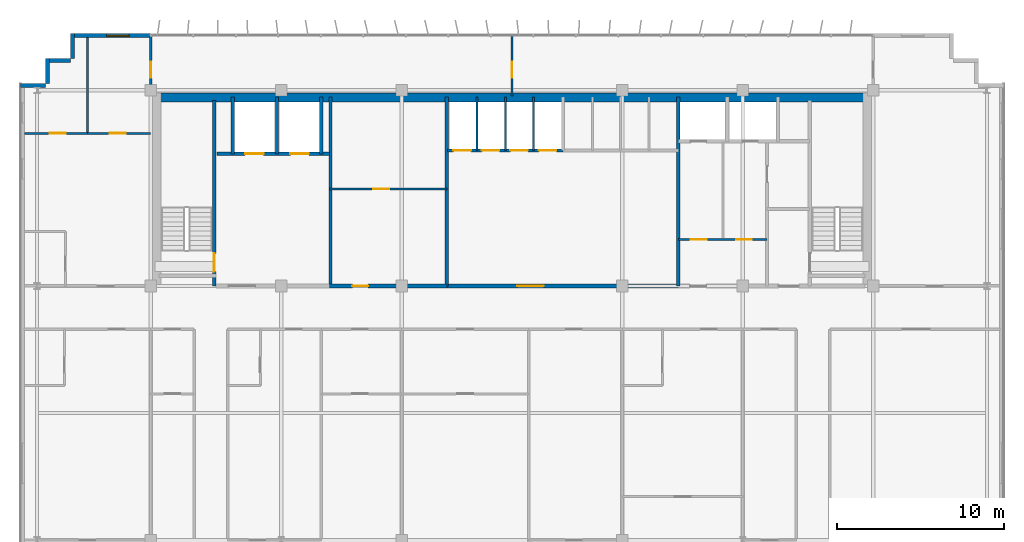
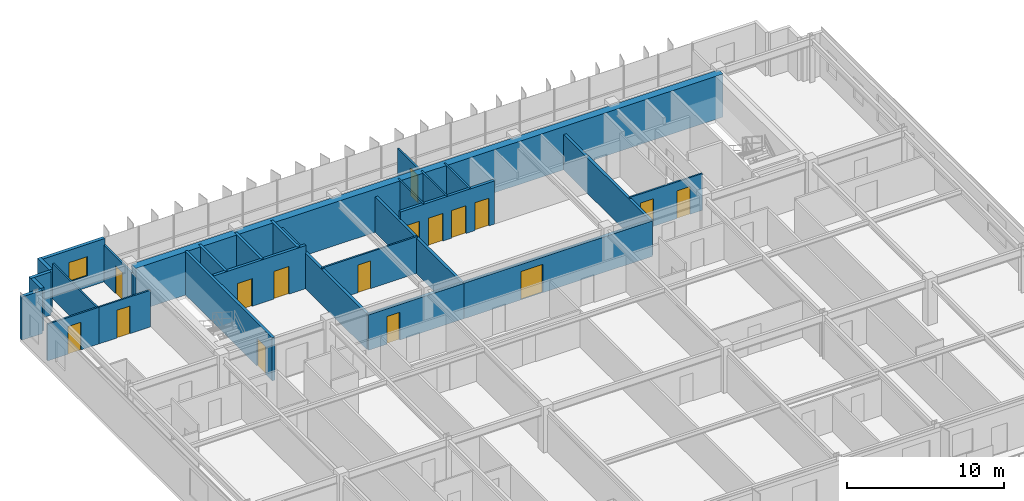
# One storey, part 17 of 20: 27 walls, 16 doors, 1 window, 17 openings.
"""IFC4 building model written with IfcOpenShell, lengths in metres."""

import ifcopenshell
import ifcopenshell.guid

model = None  # the IFC model being written
_history = None  # IfcOwnerHistory: only IFC2X3 demands one
_inside = {}  # id of a spatial element -> (the spatial element, [elements in it])
_under = {}  # id of a project, library or spatial element -> (it, [spatial elements below it])
_declared = {}  # id of a project -> (the project, [libraries it declares])
_typed = {}  # id of a type object -> (the type object, [elements of that type])
_made_of = {}  # id of a material, layer set ... -> (it, [elements and type objects made of it])


def new_model(schema):
    """Start an empty IFC model of exactly this schema.

    Asked for "IFC4X3", IfcOpenShell would pick the latest addendum, in which some entities
    have other attributes; the version numbers below select the first issue.
    IFC2X3 requires an IfcOwnerHistory on every rooted entity: one is made here for all.
    """
    global model, _history
    if schema == "IFC4X3":
        model = ifcopenshell.file(schema_version=(4, 3, 0, 0))
    else:
        model = ifcopenshell.file(schema=schema)
    _inside.clear()
    _under.clear()
    _declared.clear()
    _typed.clear()
    _made_of.clear()
    _history = None
    if model.schema == "IFC2X3":
        org = make("IfcOrganization", Name="unknown")
        user = make(
            "IfcPersonAndOrganization",
            ThePerson=make("IfcPerson", FamilyName="unknown"),
            TheOrganization=org,
        )
        app = make(
            "IfcApplication",
            ApplicationDeveloper=org,
            Version="unknown",
            ApplicationFullName="unknown",
            ApplicationIdentifier="unknown",
        )
        _history = make(
            "IfcOwnerHistory",
            OwningUser=user,
            OwningApplication=app,
            ChangeAction="ADDED",
            CreationDate=0,
        )
    return model


def make(cls, **values):
    """One entity of the class cls with the attributes given. An attribute that is None is left unset."""
    return model.create_entity(
        cls, **{name: value for name, value in values.items() if value is not None}
    )


def rooted(cls, **values):
    """An entity with a GlobalId (a new one), such as an element, a storey or a relation."""
    return make(cls, GlobalId=ifcopenshell.guid.new(), OwnerHistory=_history, **values)


def si_unit(unit_type, name, prefix=None):
    """IfcSIUnit, for example si_unit("LENGTHUNIT", "METRE", prefix="MILLI")."""
    return make("IfcSIUnit", UnitType=unit_type, Prefix=prefix, Name=name)


def assignment(units):
    """IfcUnitAssignment: the units of a project."""
    return None if units is None else make("IfcUnitAssignment", Units=units)


def point(xyz):
    """IfcCartesianPoint."""
    return None if xyz is None else make("IfcCartesianPoint", Coordinates=xyz)


def direction(xyz):
    """IfcDirection."""
    return None if xyz is None else make("IfcDirection", DirectionRatios=xyz)


def frame(location, z_axis=None, x_axis=None):
    """IfcAxis2Placement3D, a coordinate frame: its origin and axes. An axis left out is left unset."""
    return make(
        "IfcAxis2Placement3D",
        Location=point(location),
        Axis=direction(z_axis),
        RefDirection=direction(x_axis),
    )


def frame_2d(location, x_axis=None):
    """IfcAxis2Placement2D, a coordinate frame in the plane: its origin and x axis."""
    return make(
        "IfcAxis2Placement2D", Location=point(location), RefDirection=direction(x_axis)
    )


def origin():
    """The frame at (0, 0, 0) with its axes left unset."""
    return frame((0.0, 0.0, 0.0))


def place(relative_to, where):
    """IfcLocalPlacement: puts the frame where relative to a parent placement (None: the world)."""
    return make(
        "IfcLocalPlacement", PlacementRelTo=relative_to, RelativePlacement=where
    )


def context(
    kind, dimensions, precision=None, world=None, true_north=None, identifier=None
):
    """IfcGeometricRepresentationContext, for example the 3D "Model" context."""
    return make(
        "IfcGeometricRepresentationContext",
        ContextIdentifier=identifier,
        ContextType=kind,
        CoordinateSpaceDimension=dimensions,
        Precision=precision,
        WorldCoordinateSystem=world,
        TrueNorth=true_north,
    )


def subcontext(parent, identifier, kind, view, scale=None):
    """IfcGeometricRepresentationSubContext, for example "Body" below "Model"."""
    return make(
        "IfcGeometricRepresentationSubContext",
        ContextIdentifier=identifier,
        ContextType=kind,
        ParentContext=parent,
        TargetScale=scale,
        TargetView=view,
    )


def project(units=None, contexts=None):
    """IfcProject with its units and contexts."""
    return rooted(
        "IfcProject",
        Name="project",
        RepresentationContexts=contexts,
        UnitsInContext=assignment(units),
    )


def spatial(cls, under=None, at=None, **own):
    """A site, building, storey or space (cls), placed at a placement, below another one or the project."""
    s = rooted(cls, ObjectPlacement=at, **own)
    if under is not None:
        _under.setdefault(under.id(), (under, []))[1].append(s)
    return s


def profile(cls, at=None, kind="AREA", **sizes):
    """A parametric profile (cls). Its sizes go by their IFC names, for example OverallWidth=200.0."""
    return make(cls, ProfileType=kind, Position=at, **sizes)


def rectangle(**sizes):
    """IfcRectangleProfileDef."""
    return profile("IfcRectangleProfileDef", **sizes)


def extrude(swept, where, along, depth):
    """IfcExtrudedAreaSolid: the profile swept, set in the frame where, extruded along a direction by depth."""
    return make(
        "IfcExtrudedAreaSolid",
        SweptArea=swept,
        Position=where,
        ExtrudedDirection=direction(along),
        Depth=depth,
    )


def shape(context_of_items, identifier, shape_type, items):
    """IfcShapeRepresentation: the items that make up one representation, for example the "Body"."""
    return make(
        "IfcShapeRepresentation",
        ContextOfItems=context_of_items,
        RepresentationIdentifier=identifier,
        RepresentationType=shape_type,
        Items=items,
    )


def source(mapping_origin, context_of_items, identifier, shape_type, items):
    """IfcRepresentationMap: a shape defined once, which mapped items show again and again."""
    return make(
        "IfcRepresentationMap",
        MappingOrigin=mapping_origin,
        MappedRepresentation=shape(context_of_items, identifier, shape_type, items),
    )


def transform(
    local_origin,
    x_axis=None,
    y_axis=None,
    z_axis=None,
    scale=None,
    scale2=None,
    scale3=None,
    uniform=True,
):
    """IfcCartesianTransformationOperator3D, or its non-uniform kind. x_axis, y_axis, z_axis: its Axis1, 2, 3."""
    if uniform:
        return make(
            "IfcCartesianTransformationOperator3D",
            Axis1=direction(x_axis),
            Axis2=direction(y_axis),
            LocalOrigin=point(local_origin),
            Scale=scale,
            Axis3=direction(z_axis),
        )
    return make(
        "IfcCartesianTransformationOperator3DnonUniform",
        Axis1=direction(x_axis),
        Axis2=direction(y_axis),
        LocalOrigin=point(local_origin),
        Scale=scale,
        Axis3=direction(z_axis),
        Scale2=scale2,
        Scale3=scale3,
    )


def mapped(mapping_source, mapping_target):
    """IfcMappedItem: shows the shape of a source again, moved by a transform."""
    return make(
        "IfcMappedItem", MappingSource=mapping_source, MappingTarget=mapping_target
    )


def material(Name=None, Category=None):
    """IfcMaterial."""
    return make("IfcMaterial", Name=Name, Category=Category)


def layer(
    of_material, thickness, ventilated=None, Name=None, Category=None, Priority=None
):
    """IfcMaterialLayer: one layer of a wall or slab, of a material (None: an air gap)."""
    return make(
        "IfcMaterialLayer",
        Material=of_material,
        LayerThickness=thickness,
        IsVentilated=ventilated,
        Name=Name,
        Category=Category,
        Priority=Priority,
    )


def layer_set(layers, Name=None):
    """IfcMaterialLayerSet."""
    return make("IfcMaterialLayerSet", MaterialLayers=layers, LayerSetName=Name)


def made_of(thing, what):
    """Note that an element or type object is made of a material, layer set ...; save() writes the relation."""
    if what is not None:
        _made_of.setdefault(what.id(), (what, []))[1].append(thing)
    return thing


def type_object(cls, material=None, **own):
    """A type object (cls), such as IfcWallType, which elements share."""
    return made_of(rooted(cls, **own), material)


def element(
    cls,
    number,
    at=None,
    inside=None,
    cuts=None,
    type_object=None,
    material=None,
    context=None,
    identifier="Body",
    shape_type=None,
    held_by="IfcProductDefinitionShape",
    body=None,
    shapes=None,
    **own,
):
    """One element of the class cls, such as IfcWall. Its Tag is "e" and its number.

    at: its placement. inside: the storey or other place that contains it. cuts: it is an
    opening in that element (IfcRelVoidsElement). A single representation is given by context,
    identifier, shape_type and body (its items); several are given by shapes. held_by: the class
    of the entity that holds the representations. save() writes the other relations.
    """
    e = rooted(cls, Tag="e%d" % number, ObjectPlacement=at, **own)
    if body is not None:
        shapes = [shape(context, identifier, shape_type, body)]
    if shapes is not None:
        e.Representation = make(held_by, Representations=shapes)
    if inside is not None:
        _inside.setdefault(inside.id(), (inside, []))[1].append(e)
    if cuts is not None:
        rooted(
            "IfcRelVoidsElement", RelatingBuildingElement=cuts, RelatedOpeningElement=e
        )
    if type_object is not None:
        _typed.setdefault(type_object.id(), (type_object, []))[1].append(e)
    return made_of(e, material)


def fill(opening, filler):
    """IfcRelFillsElement: the door or window that sits in an opening."""
    return rooted(
        "IfcRelFillsElement",
        RelatingOpeningElement=opening,
        RelatedBuildingElement=filler,
    )


def aggregate(whole, parts):
    """IfcRelAggregates: a whole, such as a stair, and the parts it consists of."""
    return rooted("IfcRelAggregates", RelatingObject=whole, RelatedObjects=parts)


def save(model, path):
    """Write the relations noted so far, then the file.

    IfcRelAggregates (storeys below a building ...), IfcRelContainedInSpatialStructure (elements
    in a storey), IfcRelDefinesByType, IfcRelAssociatesMaterial and IfcRelDeclares: one each for
    every whole, place, type object, material and project.
    """
    for whole, parts in _under.values():
        aggregate(whole, parts)
    for where, things in _inside.values():
        rooted(
            "IfcRelContainedInSpatialStructure",
            RelatedElements=things,
            RelatingStructure=where,
        )
    for kind, things in _typed.values():
        rooted("IfcRelDefinesByType", RelatedObjects=things, RelatingType=kind)
    for what, things in _made_of.values():
        rooted("IfcRelAssociatesMaterial", RelatedObjects=things, RelatingMaterial=what)
    for by, libraries in _declared.values():
        rooted("IfcRelDeclares", RelatingContext=by, RelatedDefinitions=libraries)
    model.write(path)


model = new_model("IFC4")

# Units and contexts
model_context = context("Model", 3, precision=1e-05, world=origin(), true_north=direction((0.0, 1.0)))
body_context = subcontext(model_context, "Body", "Model", "MODEL_VIEW")
ifc_project = project(units=[si_unit("LENGTHUNIT", "METRE"), si_unit("AREAUNIT", "SQUARE_METRE"), si_unit("VOLUMEUNIT", "CUBIC_METRE"), si_unit("PLANEANGLEUNIT", "RADIAN"), si_unit("MASSUNIT", "GRAM", prefix="KILO")], contexts=[model_context])

# Site, building, storey
site_placement = place(None, origin())
site = spatial("IfcSite", under=ifc_project, at=site_placement, CompositionType="ELEMENT")
building_placement = place(site_placement, origin())
building = spatial("IfcBuilding", under=site, at=building_placement, Name="Trelvane Seafront Commons", CompositionType="ELEMENT")
storey_placement = place(building_placement, frame((0.0, 0.0, 171.699951171875)))
storey = spatial("IfcBuildingStorey", under=building, at=storey_placement, Name="L45", CompositionType="ELEMENT", Elevation=171.699951171875)

# Wall, opening, window
ifc_material_1 = material(Name="Precast concrete C40/50", Category="concrete")
ifc_layer_1 = layer(ifc_material_1, 0.239990234375, Name="ARCH-WALL-EXT240")
ifc_layer_set_1 = layer_set([ifc_layer_1], Name="Precast concrete C40/50")
wall_type_1 = type_object("IfcWallType", Name="ARCH-WALL-EXT240", PredefinedType="SOLIDWALL", material=ifc_layer_set_1)
wall_1_placement = place(storey_placement, frame((10.89990234375, 48.3701171875, 0.0), z_axis=(0.0, 0.0, 1.0), x_axis=(1.0, 0.0, 0.0)))
wall_1 = element("IfcWall", 1, at=wall_1_placement, inside=storey, type_object=wall_type_1, Name="EW-L45-NW-0884", PredefinedType="SOLIDWALL", context=body_context, shape_type="SweptSolid", body=[
    extrude(rectangle(XDim=4.7001953125, YDim=0.239990234375, at=frame_2d((2.35009765625, 0.0))), origin(), (0.0, 0.0, 1.0), 3.35009765625),
])
opening_1_placement = place(wall_1_placement, frame((2.056884765625, 0.0, 0.89990234375)))
opening_1 = element("IfcOpeningElement", 2, at=opening_1_placement, cuts=wall_1, Name="Opening W09", PredefinedType="OPENING", context=body_context, shape_type="SweptSolid", body=[
    extrude(rectangle(XDim=1.35009765625, YDim=1.5, at=frame_2d((0.675048828125, 0.75))), frame((0.0, 0.1298828125, 0.0), z_axis=(0.0, -1.0, 0.0), x_axis=(1.0, 0.0, 0.0)), (0.0, 0.0, 1.0), 0.260009765625),
])
ifc_material_2 = material(Name="Low-E coastal double glazing", Category="glass")
window_type = type_object("IfcWindowType", Name="ARCH-WIN-W09", PartitioningType="SINGLE_PANEL", PredefinedType="WINDOW", material=ifc_material_2)
shared_shape_1 = source(origin(), body_context, "Body", "SweptSolid", [
    extrude(rectangle(XDim=1.35009765625, YDim=1.5, at=frame_2d((0.675048828125, 0.75))), frame((0.0, 0.030029296875, 0.0), z_axis=(0.0, -1.0, 0.0), x_axis=(1.0, 0.0, 0.0)), (0.0, 0.0, 1.0), 0.06005859375),
])
window_placement = place(opening_1_placement, origin())
window = element("IfcWindow", 3, at=window_placement, inside=storey, type_object=window_type, Name="WIN-L45-01064", OverallHeight=1.5, OverallWidth=1.35009765625, PartitioningType="SINGLE_PANEL", PredefinedType="WINDOW", context=body_context, shape_type="MappedRepresentation", body=[
    mapped(shared_shape_1, transform((0.0, 0.0, 0.0), x_axis=(1.0, 0.0, 0.0), y_axis=(0.0, 1.0, 0.0), z_axis=(0.0, 0.0, 1.0), scale=1.0)),
])
fill(opening_1, window)

# Walls
for number, where, z_axis, x_axis, name in (
    (4, (7.800048828125, 45.3798828125, 0.0), (0.0, 0.0, 1.0), (1.0, 0.0, 0.0), "EW-L45-00890"),
    (5, (9.419921875, 45.5, 0.0), (0.0, 0.0, 1.0), (0.0, 1.0, 0.0), "EW-L45-00891"),
    (6, (9.300048828125, 46.8798828125, 0.0), (0.0, 0.0, 1.0), (1.0, 0.0, 0.0), "EW-L45-00892"),
    (7, (10.919921875, 47.0, 0.0), (0.0, 0.0, 1.0), (0.0, 1.0, 0.0), "EW-L45-00893"),
):
    element("IfcWall", number, at=place(storey_placement, frame(where, z_axis=z_axis, x_axis=x_axis)), inside=storey, type_object=wall_type_1, Name=name, PredefinedType="SOLIDWALL", context=body_context, shape_type="SweptSolid", body=[
        extrude(rectangle(XDim=1.5, YDim=0.239990234375, at=frame_2d((0.75, 0.0))), origin(), (0.0, 0.0, 1.0), 3.35009765625),
    ])

# Wall, opening, door
ifc_material_3 = material(Name="Concrete C40/50", Category="concrete")
ifc_layer_2 = layer(ifc_material_3, 0.25, Name="ARCH-WALL-FIRE250")
ifc_layer_set_2 = layer_set([ifc_layer_2], Name="Concrete C40/50")
wall_type_2 = type_object("IfcWallType", Name="ARCH-WALL-FIRE250", PredefinedType="PARTITIONING", material=ifc_layer_set_2)
wall_2_placement = place(storey_placement, frame((26.300048828125, 33.39990234375, 0.0), z_axis=(0.0, 0.0, 1.0), x_axis=(1.0, 0.0, 0.0)))
wall_2 = element("IfcWall", 8, at=wall_2_placement, inside=storey, type_object=wall_type_2, Name="W-L45-CS-FPL-026", PredefinedType="PARTITIONING", context=body_context, shape_type="SweptSolid", body=[
    extrude(rectangle(XDim=7.0, YDim=0.25, at=frame_2d((3.5, 0.0))), origin(), (0.0, 0.0, 1.0), 2.75),
])
opening_2_placement = place(wall_2_placement, frame((1.35009765625, 0.0, 0.0)))
opening_2 = element("IfcOpeningElement", 9, at=opening_2_placement, cuts=wall_2, Name="Opening D-L45-11", PredefinedType="OPENING", context=body_context, shape_type="SweptSolid", body=[
    extrude(rectangle(XDim=0.949951171875, YDim=2.14990234375, at=frame_2d((0.47509765625, 1.074951171875))), frame((0.0, 0.135009765625, 0.0), z_axis=(0.0, -1.0, 0.0), x_axis=(1.0, 0.0, 0.0)), (0.0, 0.0, 1.0), 0.27001953125),
])
ifc_material_4 = material(Name="Acoustic timber door leaf", Category="wood")
door_type_1 = type_object("IfcDoorType", Name="ARCH-DR-INT950", OperationType="NOTDEFINED", PredefinedType="DOOR", material=ifc_material_4)
shared_shape_2 = source(origin(), body_context, "Body", "SweptSolid", [
    extrude(rectangle(XDim=0.949951171875, YDim=2.14990234375, at=frame_2d((0.47509765625, 1.074951171875))), frame((0.0, 0.02490234375, 0.0), z_axis=(0.0, -1.0, 0.0), x_axis=(1.0, 0.0, 0.0)), (0.0, 0.0, 1.0), 0.050048828125),
])
door_1_placement = place(opening_2_placement, origin())
door_1 = element("IfcDoor", 10, at=door_1_placement, inside=storey, type_object=door_type_1, Name="L45 Floor Pantry Entrance Door", OperationType="SINGLE_SWING_LEFT", OverallHeight=2.14990234375, OverallWidth=0.949951171875, PredefinedType="DOOR", context=body_context, shape_type="MappedRepresentation", body=[
    mapped(shared_shape_2, transform((0.0, 0.0, 0.0), x_axis=(1.0, 0.0, 0.0), y_axis=(0.0, 1.0, 0.0), z_axis=(0.0, 0.0, 1.0), scale=1.0)),
])
fill(opening_2, door_1)

wall_3_placement = place(storey_placement, frame((33.300048828125, 33.39990234375, 0.0), z_axis=(0.0, 0.0, 1.0), x_axis=(1.0, 0.0, 0.0)))
wall_3 = element("IfcWall", 11, at=wall_3_placement, inside=storey, type_object=wall_type_2, Name="W-L45-CS-PAX-027", PredefinedType="PARTITIONING", context=body_context, shape_type="SweptSolid", body=[
    extrude(rectangle(XDim=13.849853515625, YDim=0.25, at=frame_2d((6.9248046875, 0.0))), origin(), (0.0, 0.0, 1.0), 2.75),
])
opening_3_placement = place(wall_3_placement, frame((4.199951171875, 0.0, 0.0)))
opening_3 = element("IfcOpeningElement", 12, at=opening_3_placement, cuts=wall_3, Name="Opening FD-L45-12", PredefinedType="OPENING", context=body_context, shape_type="SweptSolid", body=[
    extrude(rectangle(XDim=1.60009765625, YDim=2.199951171875, at=frame_2d((0.800048828125, 1.10009765625))), frame((0.0, 0.135009765625, 0.0), z_axis=(0.0, -1.0, 0.0), x_axis=(1.0, 0.0, 0.0)), (0.0, 0.0, 1.0), 0.27001953125),
])
ifc_material_5 = material(Name="Powder-coated aluminium frame", Category="aluminium")
door_type_2 = type_object("IfcDoorType", Name="ARCH-DR-FD60-1600", OperationType="DOUBLE_DOOR_SINGLE_SWING", PredefinedType="DOOR", material=ifc_material_5)
shared_shape_3 = source(origin(), body_context, "Body", "SweptSolid", [
    extrude(rectangle(XDim=1.60009765625, YDim=2.199951171875, at=frame_2d((0.800048828125, 1.10009765625))), frame((0.0, 0.02490234375, 0.0), z_axis=(0.0, -1.0, 0.0), x_axis=(1.0, 0.0, 0.0)), (0.0, 0.0, 1.0), 0.050048828125),
])
door_2_placement = place(opening_3_placement, origin())
door_2 = element("IfcDoor", 13, at=door_2_placement, inside=storey, type_object=door_type_2, Name="L45 Passenger Lift Lobby Double Door", OperationType="DOUBLE_DOOR_SINGLE_SWING", OverallHeight=2.199951171875, OverallWidth=1.60009765625, PredefinedType="DOOR", context=body_context, shape_type="MappedRepresentation", body=[
    mapped(shared_shape_3, transform((0.0, 0.0, 0.0), x_axis=(1.0, 0.0, 0.0), y_axis=(0.0, 1.0, 0.0), z_axis=(0.0, 0.0, 1.0), scale=1.0)),
])
fill(opening_3, door_2)

ifc_material_6 = material(Name="Gypsum Drywall Acoustic Partition")
ifc_layer_3 = layer(ifc_material_6, 0.1201171875, Name="ARCH-WALL-PART120")
ifc_layer_set_3 = layer_set([ifc_layer_3], Name="Gypsum Drywall Acoustic Partition")
wall_type_3 = type_object("IfcWallType", Name="ARCH-WALL-PART120", PredefinedType="PARTITIONING", material=ifc_layer_set_3)
wall_4_placement = place(storey_placement, frame((26.300048828125, 39.199951171875, 0.0), z_axis=(0.0, 0.0, 1.0), x_axis=(1.0, 0.0, 0.0)))
wall_4 = element("IfcWall", 14, at=wall_4_placement, inside=storey, type_object=wall_type_3, Name="W-L45-FREED-PL-MID-014", PredefinedType="PARTITIONING", context=body_context, shape_type="SweptSolid", body=[
    extrude(rectangle(XDim=7.0, YDim=0.1201171875, at=frame_2d((3.5, 0.0))), origin(), (0.0, 0.0, 1.0), 2.85009765625),
])
opening_4_placement = place(wall_4_placement, frame((2.60009765625, 0.0, 0.0)))
opening_4 = element("IfcOpeningElement", 15, at=opening_4_placement, cuts=wall_4, Name="Opening D-L45-06", PredefinedType="OPENING", context=body_context, shape_type="SweptSolid", body=[
    extrude(rectangle(XDim=0.949951171875, YDim=2.14990234375, at=frame_2d((0.47509765625, 1.074951171875))), frame((0.0, 0.070068359375, 0.0), z_axis=(0.0, -1.0, 0.0), x_axis=(1.0, 0.0, 0.0)), (0.0, 0.0, 1.0), 0.14013671875),
])
door_3_placement = place(opening_4_placement, origin())
door_3 = element("IfcDoor", 16, at=door_3_placement, inside=storey, type_object=door_type_1, Name="L45 Housekeeping Store Door", OperationType="SINGLE_SWING_RIGHT", OverallHeight=2.14990234375, OverallWidth=0.949951171875, PredefinedType="DOOR", context=body_context, shape_type="MappedRepresentation", body=[
    mapped(shared_shape_2, transform((0.0, 0.0, 0.0), x_axis=(1.0, 0.0, 0.0), y_axis=(0.0, 1.0, 0.0), z_axis=(0.0, 0.0, 1.0), scale=1.0)),
])
fill(opening_4, door_3)

# Walls
for number, where, z_axis, x_axis, name in (
    (17, (35.10009765625, 41.5, 0.0), (0.0, 0.0, 1.0), (0.0, 1.0, 0.0), "W-L45-PM-DIV1-017"),
    (18, (36.800048828125, 41.5, 0.0), (0.0, 0.0, 1.0), (0.0, 1.0, 0.0), "W-L45-PM-DIV2-018"),
    (19, (38.5, 41.5, 0.0), (0.0, 0.0, 1.0), (0.0, 1.0, 0.0), "W-L45-PM-DIV3-019"),
):
    element("IfcWall", number, at=place(storey_placement, frame(where, z_axis=z_axis, x_axis=x_axis)), inside=storey, type_object=wall_type_3, Name=name, PredefinedType="PARTITIONING", context=body_context, shape_type="SweptSolid", body=[
        extrude(rectangle(XDim=3.199951171875, YDim=0.1201171875, at=frame_2d((1.60009765625, 0.0))), origin(), (0.0, 0.0, 1.0), 3.35009765625),
    ])

# Wall, openings, doors
wall_5_placement = place(storey_placement, frame((47.14990234375, 36.179931640625, 0.0), z_axis=(0.0, 0.0, 1.0), x_axis=(1.0, 0.0, 0.0)))
wall_5 = element("IfcWall", 20, at=wall_5_placement, inside=storey, type_object=wall_type_3, Name="W-L45-CYC1-H-033", PredefinedType="PARTITIONING", context=body_context, shape_type="SweptSolid", body=[
    extrude(rectangle(XDim=5.300048828125, YDim=0.1201171875, at=frame_2d((2.64990234375, 0.0))), origin(), (0.0, 0.0, 1.0), 2.85009765625),
])
opening_5_placement = place(wall_5_placement, frame((0.75, 0.0, 0.0)))
opening_5 = element("IfcOpeningElement", 21, at=opening_5_placement, cuts=wall_5, Name="Opening D-L45-16", PredefinedType="OPENING", context=body_context, shape_type="SweptSolid", body=[
    extrude(rectangle(XDim=0.949951171875, YDim=2.14990234375, at=frame_2d((0.47509765625, 1.074951171875))), frame((0.0, 0.070068359375, 0.0), z_axis=(0.0, -1.0, 0.0), x_axis=(1.0, 0.0, 0.0)), (0.0, 0.0, 1.0), 0.14013671875),
])
opening_6_placement = place(wall_5_placement, frame((3.449951171875, 0.0, 0.0)))
opening_6 = element("IfcOpeningElement", 22, at=opening_6_placement, cuts=wall_5, Name="Opening D-L45-17", PredefinedType="OPENING", context=body_context, shape_type="SweptSolid", body=[
    extrude(rectangle(XDim=0.949951171875, YDim=2.14990234375, at=frame_2d((0.47509765625, 1.074951171875))), frame((0.0, 0.070068359375, 0.0), z_axis=(0.0, -1.0, 0.0), x_axis=(1.0, 0.0, 0.0)), (0.0, 0.0, 1.0), 0.14013671875),
])
door_4_placement = place(opening_5_placement, origin())
door_4 = element("IfcDoor", 23, at=door_4_placement, inside=storey, type_object=door_type_1, Name="L45 Accessible WC Door", OperationType="SINGLE_SWING_RIGHT", OverallHeight=2.14990234375, OverallWidth=0.949951171875, PredefinedType="DOOR", context=body_context, shape_type="MappedRepresentation", body=[
    mapped(shared_shape_2, transform((0.0, 0.0, 0.0), x_axis=(1.0, 0.0, 0.0), y_axis=(0.0, 1.0, 0.0), z_axis=(0.0, 0.0, 1.0), scale=1.0)),
])
fill(opening_5, door_4)
door_5_placement = place(opening_6_placement, origin())
door_5 = element("IfcDoor", 24, at=door_5_placement, inside=storey, type_object=door_type_1, Name="L45 BMS Room Door", OperationType="SINGLE_SWING_LEFT", OverallHeight=2.14990234375, OverallWidth=0.949951171875, PredefinedType="DOOR", context=body_context, shape_type="MappedRepresentation", body=[
    mapped(shared_shape_2, transform((0.0, 0.0, 0.0), x_axis=(1.0, 0.0, 0.0), y_axis=(0.0, 1.0, 0.0), z_axis=(0.0, 0.0, 1.0), scale=1.0)),
])
fill(opening_6, door_5)

# Wall, opening, door
wall_6_placement = place(storey_placement, frame((8.050048828125, 42.52001953125, 0.0), z_axis=(0.0, 0.0, 1.0), x_axis=(1.0, 0.0, 0.0)))
wall_6 = element("IfcWall", 25, at=wall_6_placement, inside=storey, type_object=wall_type_3, Name="W-L45-NW-KB1-038", PredefinedType="PARTITIONING", context=body_context, shape_type="SweptSolid", body=[
    extrude(rectangle(XDim=3.77490234375, YDim=0.1201171875, at=frame_2d((1.887451171875, 0.0))), origin(), (0.0, 0.0, 1.0), 2.85009765625),
])
opening_7_placement = place(wall_6_placement, frame((1.506103515625, 0.0, 0.0)))
opening_7 = element("IfcOpeningElement", 26, at=opening_7_placement, cuts=wall_6, Name="Opening D-L45-21", PredefinedType="OPENING", context=body_context, shape_type="SweptSolid", body=[
    extrude(rectangle(XDim=0.949951171875, YDim=2.14990234375, at=frame_2d((0.47509765625, 1.074951171875))), frame((0.0, 0.070068359375, 0.0), z_axis=(0.0, -1.0, 0.0), x_axis=(1.0, 0.0, 0.0)), (0.0, 0.0, 1.0), 0.14013671875),
])
door_6_placement = place(opening_7_placement, origin())
door_6 = element("IfcDoor", 27, at=door_6_placement, inside=storey, type_object=door_type_1, Name="L45 Door 21", OperationType="SINGLE_SWING_LEFT", OverallHeight=2.14990234375, OverallWidth=0.949951171875, PredefinedType="DOOR", context=body_context, shape_type="MappedRepresentation", body=[
    mapped(shared_shape_2, transform((0.0, 0.0, 0.0), x_axis=(1.0, 0.0, 0.0), y_axis=(0.0, 1.0, 0.0), z_axis=(0.0, 0.0, 1.0), scale=1.0)),
])
fill(opening_7, door_6)

wall_7_placement = place(storey_placement, frame((11.824951171875, 42.52001953125, 0.0), z_axis=(0.0, 0.0, 1.0), x_axis=(1.0, 0.0, 0.0)))
wall_7 = element("IfcWall", 28, at=wall_7_placement, inside=storey, type_object=wall_type_3, Name="W-L45-NW-KB2-039", PredefinedType="PARTITIONING", context=body_context, shape_type="SweptSolid", body=[
    extrude(rectangle(XDim=3.775146484375, YDim=0.1201171875, at=frame_2d((1.8876953125, 0.0))), origin(), (0.0, 0.0, 1.0), 2.85009765625),
])
opening_8_placement = place(wall_7_placement, frame((1.319091796875, 0.0, 0.0)))
opening_8 = element("IfcOpeningElement", 29, at=opening_8_placement, cuts=wall_7, Name="Opening D-L45-22", PredefinedType="OPENING", context=body_context, shape_type="SweptSolid", body=[
    extrude(rectangle(XDim=0.949951171875, YDim=2.14990234375, at=frame_2d((0.47509765625, 1.074951171875))), frame((0.0, 0.070068359375, 0.0), z_axis=(0.0, -1.0, 0.0), x_axis=(1.0, 0.0, 0.0)), (0.0, 0.0, 1.0), 0.14013671875),
])
door_7_placement = place(opening_8_placement, origin())
door_7 = element("IfcDoor", 30, at=door_7_placement, inside=storey, type_object=door_type_1, Name="L45 Door 22", OperationType="SINGLE_SWING_RIGHT", OverallHeight=2.14990234375, OverallWidth=0.949951171875, PredefinedType="DOOR", context=body_context, shape_type="MappedRepresentation", body=[
    mapped(shared_shape_2, transform((0.0, 0.0, 0.0), x_axis=(1.0, 0.0, 0.0), y_axis=(0.0, 1.0, 0.0), z_axis=(0.0, 0.0, 1.0), scale=1.0)),
])
fill(opening_8, door_7)

# Wall
wall_8_placement = place(storey_placement, frame((11.824951171875, 42.52001953125, 0.0), z_axis=(0.0, 0.0, 1.0), x_axis=(0.0, 1.0, 0.0)))
element("IfcWall", 31, at=wall_8_placement, inside=storey, type_object=wall_type_3, Name="W-L45-NW-KBDV-040", PredefinedType="PARTITIONING", context=body_context, shape_type="SweptSolid", body=[
    extrude(rectangle(XDim=5.739990234375, YDim=0.1201171875, at=frame_2d((2.8701171875, 0.0))), origin(), (0.0, 0.0, 1.0), 2.75),
])

# Wall, opening, door
wall_9_placement = place(storey_placement, frame((37.199951171875, 44.75, 0.0), z_axis=(0.0, 0.0, 1.0), x_axis=(0.0, 1.0, 0.0)))
wall_9 = element("IfcWall", 32, at=wall_9_placement, inside=storey, type_object=wall_type_3, Name="W-L45-N-MID-DV-043", PredefinedType="PARTITIONING", context=body_context, shape_type="SweptSolid", body=[
    extrude(rectangle(XDim=3.610107421875, YDim=0.1201171875, at=frame_2d((1.80517578125, 0.0))), origin(), (0.0, 0.0, 1.0), 2.75),
])
opening_9_placement = place(wall_9_placement, frame((1.10009765625, 0.0, 0.0)))
opening_9 = element("IfcOpeningElement", 33, at=opening_9_placement, cuts=wall_9, Name="Opening D-L45-25", PredefinedType="OPENING", context=body_context, shape_type="SweptSolid", body=[
    extrude(rectangle(XDim=0.949951171875, YDim=2.14990234375, at=frame_2d((0.47509765625, 1.074951171875))), frame((0.0, 0.070068359375, 0.0), z_axis=(0.0, -1.0, 0.0), x_axis=(1.0, 0.0, 0.0)), (0.0, 0.0, 1.0), 0.14013671875),
])
door_8_placement = place(opening_9_placement, origin())
door_8 = element("IfcDoor", 34, at=door_8_placement, inside=storey, type_object=door_type_1, Name="L45 Door 25", OperationType="SINGLE_SWING_LEFT", OverallHeight=2.14990234375, OverallWidth=0.949951171875, PredefinedType="DOOR", context=body_context, shape_type="MappedRepresentation", body=[
    mapped(shared_shape_2, transform((0.0, 0.0, 0.0), x_axis=(1.0, 0.0, 0.0), y_axis=(0.0, 1.0, 0.0), z_axis=(0.0, 0.0, 1.0), scale=1.0)),
])
fill(opening_9, door_8)

ifc_layer_4 = layer(ifc_material_6, 0.14990234375, Name="ARCH-WALL-PART150")
ifc_layer_set_4 = layer_set([ifc_layer_4], Name="Gypsum Drywall Acoustic Partition")
wall_type_4 = type_object("IfcWallType", Name="ARCH-WALL-PART150", PredefinedType="PARTITIONING", material=ifc_layer_set_4)
wall_10_placement = place(storey_placement, frame((15.60009765625, 44.75, 0.0), z_axis=(0.0, 0.0, 1.0), x_axis=(0.0, 1.0, 0.0)))
wall_10 = element("IfcWall", 35, at=wall_10_placement, inside=storey, type_object=wall_type_4, Name="W-L45-N-LINK-W-044", PredefinedType="PARTITIONING", context=body_context, shape_type="SweptSolid", body=[
    extrude(rectangle(XDim=3.610107421875, YDim=0.14990234375, at=frame_2d((1.80517578125, 0.0))), origin(), (0.0, 0.0, 1.0), 2.85009765625),
])
opening_10_placement = place(wall_10_placement, frame((1.10009765625, 0.0, 0.0)))
opening_10 = element("IfcOpeningElement", 36, at=opening_10_placement, cuts=wall_10, Name="Opening FD-L45-26", PredefinedType="OPENING", context=body_context, shape_type="SweptSolid", body=[
    extrude(rectangle(XDim=0.949951171875, YDim=2.14990234375, at=frame_2d((0.47509765625, 1.074951171875))), frame((0.0, 0.0849609375, 0.0), z_axis=(0.0, -1.0, 0.0), x_axis=(1.0, 0.0, 0.0)), (0.0, 0.0, 1.0), 0.169921875),
])
door_type_3 = type_object("IfcDoorType", Name="ARCH-DR-FD60-950", OperationType="NOTDEFINED", PredefinedType="DOOR", material=ifc_material_5)
door_9_placement = place(opening_10_placement, origin())
door_9 = element("IfcDoor", 37, at=door_9_placement, inside=storey, type_object=door_type_3, Name="L45 Door 26", OperationType="SINGLE_SWING_RIGHT", OverallHeight=2.14990234375, OverallWidth=0.949951171875, PredefinedType="DOOR", context=body_context, shape_type="MappedRepresentation", body=[
    mapped(shared_shape_2, transform((0.0, 0.0, 0.0), x_axis=(1.0, 0.0, 0.0), y_axis=(0.0, 1.0, 0.0), z_axis=(0.0, 0.0, 1.0), scale=1.0)),
])
fill(opening_10, door_9)

# Wall, openings, doors
ifc_layer_5 = layer(ifc_material_3, 0.199951171875, Name="ARCH-WALL-SHAFT200")
ifc_layer_set_5 = layer_set([ifc_layer_5], Name="Concrete C40/50")
wall_type_5 = type_object("IfcWallType", Name="ARCH-WALL-SHAFT200", PredefinedType="SOLIDWALL", material=ifc_layer_set_5)
wall_11_placement = place(storey_placement, frame((19.550048828125, 41.300048828125, 0.0), z_axis=(0.0, 0.0, 1.0), x_axis=(1.0, 0.0, 0.0)))
wall_11 = element("IfcWall", 38, at=wall_11_placement, inside=storey, type_object=wall_type_5, Name="W-L45-FFL-FRONT-008", PredefinedType="SOLIDWALL", context=body_context, shape_type="SweptSolid", body=[
    extrude(rectangle(XDim=6.75, YDim=0.199951171875, at=frame_2d((3.375, 0.0))), origin(), (0.0, 0.0, 1.0), 3.35009765625),
])
opening_11_placement = place(wall_11_placement, frame((1.699951171875, 0.0, 0.0)))
opening_11 = element("IfcOpeningElement", 39, at=opening_11_placement, cuts=wall_11, Name="Opening LD-FF1-L45", PredefinedType="OPENING", context=body_context, shape_type="SweptSolid", body=[
    extrude(rectangle(XDim=1.10009765625, YDim=2.14990234375, at=frame_2d((0.550048828125, 1.074951171875))), frame((0.0, 0.10986328125, 0.0), z_axis=(0.0, -1.0, 0.0), x_axis=(1.0, 0.0, 0.0)), (0.0, 0.0, 1.0), 0.219970703125),
])
opening_12_placement = place(wall_11_placement, frame((4.39990234375, 0.0, 0.0)))
opening_12 = element("IfcOpeningElement", 40, at=opening_12_placement, cuts=wall_11, Name="Opening LD-FF2-L45", PredefinedType="OPENING", context=body_context, shape_type="SweptSolid", body=[
    extrude(rectangle(XDim=1.10009765625, YDim=2.14990234375, at=frame_2d((0.550048828125, 1.074951171875))), frame((0.0, 0.10986328125, 0.0), z_axis=(0.0, -1.0, 0.0), x_axis=(1.0, 0.0, 0.0)), (0.0, 0.0, 1.0), 0.219970703125),
])
ifc_material_7 = material(Name="Stainless steel balustrade", Category="steel")
door_type_4 = type_object("IfcDoorType", Name="ARCH-DR-LD1100", OperationType="DOUBLE_DOOR_SLIDING", PredefinedType="DOOR", material=ifc_material_7)
shared_shape_4 = source(origin(), body_context, "Body", "SweptSolid", [
    extrude(rectangle(XDim=1.10009765625, YDim=2.14990234375, at=frame_2d((0.550048828125, 1.074951171875))), frame((0.0, 0.02490234375, 0.0), z_axis=(0.0, -1.0, 0.0), x_axis=(1.0, 0.0, 0.0)), (0.0, 0.0, 1.0), 0.050048828125),
])
door_10_placement = place(opening_11_placement, origin())
door_10 = element("IfcDoor", 41, at=door_10_placement, inside=storey, type_object=door_type_4, Name="L45 Firefighting Lift FFL-1 Landing Door", OperationType="DOUBLE_DOOR_SLIDING", OverallHeight=2.14990234375, OverallWidth=1.10009765625, PredefinedType="DOOR", context=body_context, shape_type="MappedRepresentation", body=[
    mapped(shared_shape_4, transform((0.0, 0.0, 0.0), x_axis=(1.0, 0.0, 0.0), y_axis=(0.0, 1.0, 0.0), z_axis=(0.0, 0.0, 1.0), scale=1.0)),
])
fill(opening_11, door_10)
door_11_placement = place(opening_12_placement, origin())
door_11 = element("IfcDoor", 42, at=door_11_placement, inside=storey, type_object=door_type_4, Name="L45 Firefighting Lift FFL-2 Landing Door", OperationType="DOUBLE_DOOR_SLIDING", OverallHeight=2.14990234375, OverallWidth=1.10009765625, PredefinedType="DOOR", context=body_context, shape_type="MappedRepresentation", body=[
    mapped(shared_shape_4, transform((0.0, 0.0, 0.0), x_axis=(1.0, 0.0, 0.0), y_axis=(0.0, 1.0, 0.0), z_axis=(0.0, 0.0, 1.0), scale=1.0)),
])
fill(opening_12, door_11)

# Walls
for number, where, z_axis, x_axis, name in (
    (43, (20.5, 41.300048828125, 0.0), (0.0, 0.0, 1.0), (0.0, 1.0, 0.0), "W-L45-FFL-SH-W-009"),
    (44, (23.14990234375, 41.300048828125, 0.0), (0.0, 0.0, 1.0), (0.0, 1.0, 0.0), "W-L45-FFL-DIV-010"),
    (45, (25.800048828125, 41.300048828125, 0.0), (0.0, 0.0, 1.0), (0.0, 1.0, 0.0), "W-L45-FFL-SH-E-011"),
):
    element("IfcWall", number, at=place(storey_placement, frame(where, z_axis=z_axis, x_axis=x_axis)), inside=storey, type_object=wall_type_5, Name=name, PredefinedType="SOLIDWALL", context=body_context, shape_type="SweptSolid", body=[
        extrude(rectangle(XDim=3.39990234375, YDim=0.199951171875, at=frame_2d((1.699951171875, 0.0))), origin(), (0.0, 0.0, 1.0), 3.35009765625),
    ])
for number, where, z_axis, x_axis, name in (
    (46, (26.35009765625, 33.39990234375, 0.0), (0.0, 0.0, 1.0), (0.0, 1.0, 0.0), "W-L45-FFL-EAST-012"),
    (47, (33.300048828125, 33.39990234375, 0.0), (0.0, 0.0, 1.0), (0.0, 1.0, 0.0), "W-L45-FREED-PL-E-015"),
):
    element("IfcWall", number, at=place(storey_placement, frame(where, z_axis=z_axis, x_axis=x_axis)), inside=storey, type_object=wall_type_5, Name=name, PredefinedType="SOLIDWALL", context=body_context, shape_type="SweptSolid", body=[
        extrude(rectangle(XDim=11.300048828125, YDim=0.199951171875, at=frame_2d((5.64990234375, 0.0))), origin(), (0.0, 0.0, 1.0), 2.75),
    ])

# Wall, openings, doors
wall_12_placement = place(storey_placement, frame((33.35009765625, 41.5, 0.0), z_axis=(0.0, 0.0, 1.0), x_axis=(1.0, 0.0, 0.0)))
wall_12 = element("IfcWall", 48, at=wall_12_placement, inside=storey, type_object=wall_type_5, Name="W-L45-PM-FRONT-016", PredefinedType="SOLIDWALL", context=body_context, shape_type="SweptSolid", body=[
    extrude(rectangle(XDim=6.89990234375, YDim=0.199951171875, at=frame_2d((3.449951171875, 0.0))), origin(), (0.0, 0.0, 1.0), 3.35009765625),
])
opening_13_placement = place(wall_12_placement, frame((0.35009765625, 0.0, 0.0)))
opening_13 = element("IfcOpeningElement", 49, at=opening_13_placement, cuts=wall_12, Name="Opening LD-PM1-L45", PredefinedType="OPENING", context=body_context, shape_type="SweptSolid", body=[
    extrude(rectangle(XDim=1.050048828125, YDim=2.14990234375, at=frame_2d((0.52490234375, 1.074951171875))), frame((0.0, 0.10986328125, 0.0), z_axis=(0.0, -1.0, 0.0), x_axis=(1.0, 0.0, 0.0)), (0.0, 0.0, 1.0), 0.219970703125),
])
opening_14_placement = place(wall_12_placement, frame((2.050048828125, 0.0, 0.0)))
opening_14 = element("IfcOpeningElement", 50, at=opening_14_placement, cuts=wall_12, Name="Opening LD-PM2-L45", PredefinedType="OPENING", context=body_context, shape_type="SweptSolid", body=[
    extrude(rectangle(XDim=1.050048828125, YDim=2.14990234375, at=frame_2d((0.52490234375, 1.074951171875))), frame((0.0, 0.10986328125, 0.0), z_axis=(0.0, -1.0, 0.0), x_axis=(1.0, 0.0, 0.0)), (0.0, 0.0, 1.0), 0.219970703125),
])
opening_15_placement = place(wall_12_placement, frame((3.75, 0.0, 0.0)))
opening_15 = element("IfcOpeningElement", 51, at=opening_15_placement, cuts=wall_12, Name="Opening LD-PM3-L45", PredefinedType="OPENING", context=body_context, shape_type="SweptSolid", body=[
    extrude(rectangle(XDim=1.050048828125, YDim=2.14990234375, at=frame_2d((0.52490234375, 1.074951171875))), frame((0.0, 0.10986328125, 0.0), z_axis=(0.0, -1.0, 0.0), x_axis=(1.0, 0.0, 0.0)), (0.0, 0.0, 1.0), 0.219970703125),
])
opening_16_placement = place(wall_12_placement, frame((5.449951171875, 0.0, 0.0)))
opening_16 = element("IfcOpeningElement", 52, at=opening_16_placement, cuts=wall_12, Name="Opening LD-PM4-L45", PredefinedType="OPENING", context=body_context, shape_type="SweptSolid", body=[
    extrude(rectangle(XDim=1.050048828125, YDim=2.14990234375, at=frame_2d((0.52490234375, 1.074951171875))), frame((0.0, 0.10986328125, 0.0), z_axis=(0.0, -1.0, 0.0), x_axis=(1.0, 0.0, 0.0)), (0.0, 0.0, 1.0), 0.219970703125),
])
door_type_5 = type_object("IfcDoorType", Name="ARCH-DR-LD1050", OperationType="DOUBLE_DOOR_SLIDING", PredefinedType="DOOR", material=ifc_material_7)
shared_shape_5 = source(origin(), body_context, "Body", "SweptSolid", [
    extrude(rectangle(XDim=1.050048828125, YDim=2.14990234375, at=frame_2d((0.52490234375, 1.074951171875))), frame((0.0, 0.02490234375, 0.0), z_axis=(0.0, -1.0, 0.0), x_axis=(1.0, 0.0, 0.0)), (0.0, 0.0, 1.0), 0.050048828125),
])
door_12_placement = place(opening_13_placement, origin())
door_12 = element("IfcDoor", 53, at=door_12_placement, inside=storey, type_object=door_type_5, Name="L45 Passenger Lift PM-1 Landing Door", OperationType="DOUBLE_DOOR_SLIDING", OverallHeight=2.14990234375, OverallWidth=1.050048828125, PredefinedType="DOOR", context=body_context, shape_type="MappedRepresentation", body=[
    mapped(shared_shape_5, transform((0.0, 0.0, 0.0), x_axis=(1.0, 0.0, 0.0), y_axis=(0.0, 1.0, 0.0), z_axis=(0.0, 0.0, 1.0), scale=1.0)),
])
fill(opening_13, door_12)
door_13_placement = place(opening_14_placement, origin())
door_13 = element("IfcDoor", 54, at=door_13_placement, inside=storey, type_object=door_type_5, Name="L45 Passenger Lift PM-2 Landing Door", OperationType="DOUBLE_DOOR_SLIDING", OverallHeight=2.14990234375, OverallWidth=1.050048828125, PredefinedType="DOOR", context=body_context, shape_type="MappedRepresentation", body=[
    mapped(shared_shape_5, transform((0.0, 0.0, 0.0), x_axis=(1.0, 0.0, 0.0), y_axis=(0.0, 1.0, 0.0), z_axis=(0.0, 0.0, 1.0), scale=1.0)),
])
fill(opening_14, door_13)
door_14_placement = place(opening_15_placement, origin())
door_14 = element("IfcDoor", 55, at=door_14_placement, inside=storey, type_object=door_type_5, Name="L45 Passenger Lift PM-3 Landing Door", OperationType="DOUBLE_DOOR_SLIDING", OverallHeight=2.14990234375, OverallWidth=1.050048828125, PredefinedType="DOOR", context=body_context, shape_type="MappedRepresentation", body=[
    mapped(shared_shape_5, transform((0.0, 0.0, 0.0), x_axis=(1.0, 0.0, 0.0), y_axis=(0.0, 1.0, 0.0), z_axis=(0.0, 0.0, 1.0), scale=1.0)),
])
fill(opening_15, door_14)
door_15_placement = place(opening_16_placement, origin())
door_15 = element("IfcDoor", 56, at=door_15_placement, inside=storey, type_object=door_type_5, Name="L45 Passenger Lift PM-4 Landing Door", OperationType="DOUBLE_DOOR_SLIDING", OverallHeight=2.14990234375, OverallWidth=1.050048828125, PredefinedType="DOOR", context=body_context, shape_type="MappedRepresentation", body=[
    mapped(shared_shape_5, transform((0.0, 0.0, 0.0), x_axis=(1.0, 0.0, 0.0), y_axis=(0.0, 1.0, 0.0), z_axis=(0.0, 0.0, 1.0), scale=1.0)),
])
fill(opening_16, door_15)

# Walls
wall_13_placement = place(storey_placement, frame((47.14990234375, 33.39990234375, 0.0), z_axis=(0.0, 0.0, 1.0), x_axis=(0.0, 1.0, 0.0)))
element("IfcWall", 57, at=wall_13_placement, inside=storey, type_object=wall_type_5, Name="W-L45-PH-EAST-025", PredefinedType="SOLIDWALL", context=body_context, shape_type="SweptSolid", body=[
    extrude(rectangle(XDim=11.300048828125, YDim=0.199951171875, at=frame_2d((5.64990234375, 0.0))), origin(), (0.0, 0.0, 1.0), 2.75),
])
ifc_material_8 = material(Name="Concrete C50/60", Category="concrete")
ifc_layer_6 = layer(ifc_material_8, 0.550048828125, Name="STR-WALL-CORE550")
ifc_layer_set_6 = layer_set([ifc_layer_6], Name="Concrete C50/60")
wall_type_6 = type_object("IfcWallType", Name="STR-WALL-CORE550", PredefinedType="SHEAR", material=ifc_layer_set_6)
wall_14_placement = place(storey_placement, frame((15.64990234375, 44.675048828125, 0.0), z_axis=(0.0, 0.0, 1.0), x_axis=(1.0, 0.0, 0.0)))
element("IfcWall", 58, at=wall_14_placement, inside=storey, type_object=wall_type_6, Name="W-L45-CN-ALL-001", PredefinedType="SHEAR", context=body_context, shape_type="SweptSolid", body=[
    extrude(rectangle(XDim=43.10009765625, YDim=0.550048828125, at=frame_2d((21.550048828125, 0.0))), origin(), (0.0, 0.0, 1.0), 3.35009765625),
])

# Wall, opening, door
ifc_layer_7 = layer(ifc_material_8, 0.199951171875, Name="STR-WALL-STAIR200")
ifc_layer_set_7 = layer_set([ifc_layer_7], Name="Concrete C50/60")
wall_type_7 = type_object("IfcWallType", Name="STR-WALL-STAIR200", PredefinedType="SHEAR", material=ifc_layer_set_7)
wall_15_placement = place(storey_placement, frame((19.39990234375, 33.39990234375, 0.0), z_axis=(0.0, 0.0, 1.0), x_axis=(0.0, 1.0, 0.0)))
wall_15 = element("IfcWall", 59, at=wall_15_placement, inside=storey, type_object=wall_type_7, Name="W-L45-ST1-E-005", PredefinedType="SHEAR", context=body_context, shape_type="SweptSolid", body=[
    extrude(rectangle(XDim=11.10009765625, YDim=0.199951171875, at=frame_2d((5.550048828125, 0.0))), origin(), (0.0, 0.0, 1.0), 3.35009765625),
])
opening_17_placement = place(wall_15_placement, frame((0.85009765625, 0.0, 0.0)))
opening_17 = element("IfcOpeningElement", 60, at=opening_17_placement, cuts=wall_15, Name="Opening ST-D1-L45", PredefinedType="OPENING", context=body_context, shape_type="SweptSolid", body=[
    extrude(rectangle(XDim=1.10009765625, YDim=2.14990234375, at=frame_2d((0.550048828125, 1.074951171875))), frame((0.0, 0.10986328125, 0.0), z_axis=(0.0, -1.0, 0.0), x_axis=(1.0, 0.0, 0.0)), (0.0, 0.0, 1.0), 0.219970703125),
])
door_type_6 = type_object("IfcDoorType", Name="ARCH-DR-FD90-1100", OperationType="NOTDEFINED", PredefinedType="DOOR", material=ifc_material_5)
door_16_placement = place(opening_17_placement, origin())
door_16 = element("IfcDoor", 61, at=door_16_placement, inside=storey, type_object=door_type_6, Name="L45 Stair ST-1 Lobby Fire Door", OperationType="SINGLE_SWING_LEFT", OverallHeight=2.14990234375, OverallWidth=1.10009765625, PredefinedType="DOOR", context=body_context, shape_type="MappedRepresentation", body=[
    mapped(shared_shape_4, transform((0.0, 0.0, 0.0), x_axis=(1.0, 0.0, 0.0), y_axis=(0.0, 1.0, 0.0), z_axis=(0.0, 0.0, 1.0), scale=1.0)),
])
fill(opening_17, door_16)

save(model, "model.ifc")
